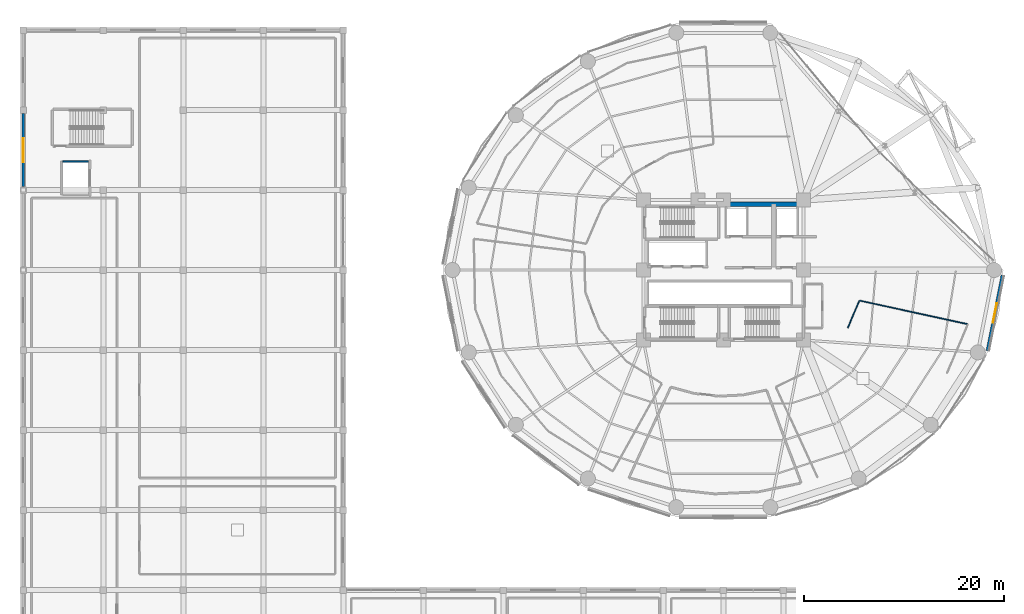
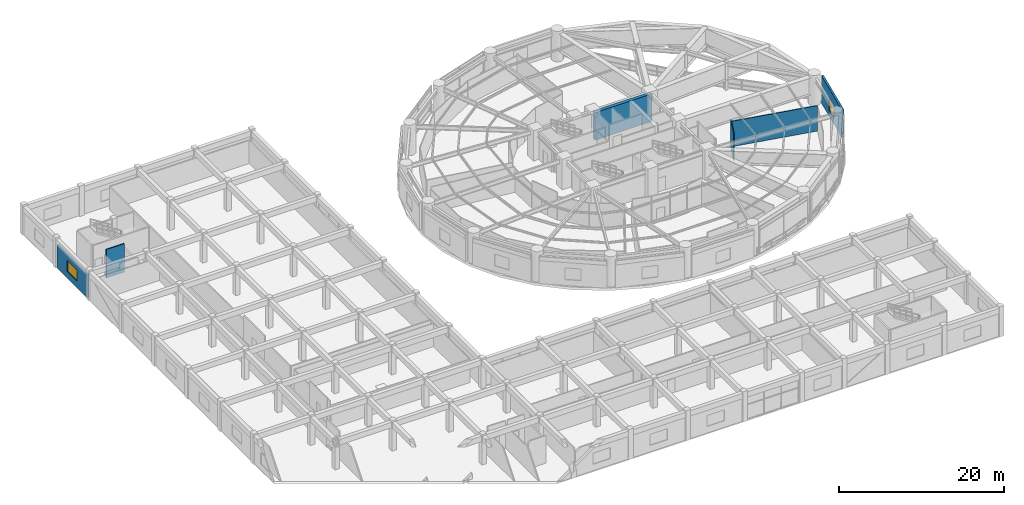
# One storey, part 43 of 52: 6 walls, 2 windows, 2 openings.
"""IFC4 building model written with IfcOpenShell, lengths in metres."""

import ifcopenshell
import ifcopenshell.guid

model = None  # the IFC model being written
_history = None  # IfcOwnerHistory: only IFC2X3 demands one
_inside = {}  # id of a spatial element -> (the spatial element, [elements in it])
_under = {}  # id of a project, library or spatial element -> (it, [spatial elements below it])
_declared = {}  # id of a project -> (the project, [libraries it declares])
_typed = {}  # id of a type object -> (the type object, [elements of that type])
_made_of = {}  # id of a material, layer set ... -> (it, [elements and type objects made of it])


def new_model(schema):
    """Start an empty IFC model of exactly this schema.

    Asked for "IFC4X3", IfcOpenShell would pick the latest addendum, in which some entities
    have other attributes; the version numbers below select the first issue.
    IFC2X3 requires an IfcOwnerHistory on every rooted entity: one is made here for all.
    """
    global model, _history
    if schema == "IFC4X3":
        model = ifcopenshell.file(schema_version=(4, 3, 0, 0))
    else:
        model = ifcopenshell.file(schema=schema)
    _inside.clear()
    _under.clear()
    _declared.clear()
    _typed.clear()
    _made_of.clear()
    _history = None
    if model.schema == "IFC2X3":
        org = make("IfcOrganization", Name="unknown")
        user = make(
            "IfcPersonAndOrganization",
            ThePerson=make("IfcPerson", FamilyName="unknown"),
            TheOrganization=org,
        )
        app = make(
            "IfcApplication",
            ApplicationDeveloper=org,
            Version="unknown",
            ApplicationFullName="unknown",
            ApplicationIdentifier="unknown",
        )
        _history = make(
            "IfcOwnerHistory",
            OwningUser=user,
            OwningApplication=app,
            ChangeAction="ADDED",
            CreationDate=0,
        )
    return model


def make(cls, **values):
    """One entity of the class cls with the attributes given. An attribute that is None is left unset."""
    return model.create_entity(
        cls, **{name: value for name, value in values.items() if value is not None}
    )


def rooted(cls, **values):
    """An entity with a GlobalId (a new one), such as an element, a storey or a relation."""
    return make(cls, GlobalId=ifcopenshell.guid.new(), OwnerHistory=_history, **values)


def si_unit(unit_type, name, prefix=None):
    """IfcSIUnit, for example si_unit("LENGTHUNIT", "METRE", prefix="MILLI")."""
    return make("IfcSIUnit", UnitType=unit_type, Prefix=prefix, Name=name)


def assignment(units):
    """IfcUnitAssignment: the units of a project."""
    return None if units is None else make("IfcUnitAssignment", Units=units)


def point(xyz):
    """IfcCartesianPoint."""
    return None if xyz is None else make("IfcCartesianPoint", Coordinates=xyz)


def direction(xyz):
    """IfcDirection."""
    return None if xyz is None else make("IfcDirection", DirectionRatios=xyz)


def frame(location, z_axis=None, x_axis=None):
    """IfcAxis2Placement3D, a coordinate frame: its origin and axes. An axis left out is left unset."""
    return make(
        "IfcAxis2Placement3D",
        Location=point(location),
        Axis=direction(z_axis),
        RefDirection=direction(x_axis),
    )


def frame_2d(location, x_axis=None):
    """IfcAxis2Placement2D, a coordinate frame in the plane: its origin and x axis."""
    return make(
        "IfcAxis2Placement2D", Location=point(location), RefDirection=direction(x_axis)
    )


def origin():
    """The frame at (0, 0, 0) with its axes left unset."""
    return frame((0.0, 0.0, 0.0))


def place(relative_to, where):
    """IfcLocalPlacement: puts the frame where relative to a parent placement (None: the world)."""
    return make(
        "IfcLocalPlacement", PlacementRelTo=relative_to, RelativePlacement=where
    )


def context(
    kind, dimensions, precision=None, world=None, true_north=None, identifier=None
):
    """IfcGeometricRepresentationContext, for example the 3D "Model" context."""
    return make(
        "IfcGeometricRepresentationContext",
        ContextIdentifier=identifier,
        ContextType=kind,
        CoordinateSpaceDimension=dimensions,
        Precision=precision,
        WorldCoordinateSystem=world,
        TrueNorth=true_north,
    )


def subcontext(parent, identifier, kind, view, scale=None):
    """IfcGeometricRepresentationSubContext, for example "Body" below "Model"."""
    return make(
        "IfcGeometricRepresentationSubContext",
        ContextIdentifier=identifier,
        ContextType=kind,
        ParentContext=parent,
        TargetScale=scale,
        TargetView=view,
    )


def project(units=None, contexts=None):
    """IfcProject with its units and contexts."""
    return rooted(
        "IfcProject",
        Name="project",
        RepresentationContexts=contexts,
        UnitsInContext=assignment(units),
    )


def spatial(cls, under=None, at=None, **own):
    """A site, building, storey or space (cls), placed at a placement, below another one or the project."""
    s = rooted(cls, ObjectPlacement=at, **own)
    if under is not None:
        _under.setdefault(under.id(), (under, []))[1].append(s)
    return s


def profile(cls, at=None, kind="AREA", **sizes):
    """A parametric profile (cls). Its sizes go by their IFC names, for example OverallWidth=200.0."""
    return make(cls, ProfileType=kind, Position=at, **sizes)


def rectangle(**sizes):
    """IfcRectangleProfileDef."""
    return profile("IfcRectangleProfileDef", **sizes)


def extrude(swept, where, along, depth):
    """IfcExtrudedAreaSolid: the profile swept, set in the frame where, extruded along a direction by depth."""
    return make(
        "IfcExtrudedAreaSolid",
        SweptArea=swept,
        Position=where,
        ExtrudedDirection=direction(along),
        Depth=depth,
    )


def shape(context_of_items, identifier, shape_type, items):
    """IfcShapeRepresentation: the items that make up one representation, for example the "Body"."""
    return make(
        "IfcShapeRepresentation",
        ContextOfItems=context_of_items,
        RepresentationIdentifier=identifier,
        RepresentationType=shape_type,
        Items=items,
    )


def material(Name=None, Category=None):
    """IfcMaterial."""
    return make("IfcMaterial", Name=Name, Category=Category)


def layer(
    of_material, thickness, ventilated=None, Name=None, Category=None, Priority=None
):
    """IfcMaterialLayer: one layer of a wall or slab, of a material (None: an air gap)."""
    return make(
        "IfcMaterialLayer",
        Material=of_material,
        LayerThickness=thickness,
        IsVentilated=ventilated,
        Name=Name,
        Category=Category,
        Priority=Priority,
    )


def layer_set(layers, Name=None):
    """IfcMaterialLayerSet."""
    return make("IfcMaterialLayerSet", MaterialLayers=layers, LayerSetName=Name)


def made_of(thing, what):
    """Note that an element or type object is made of a material, layer set ...; save() writes the relation."""
    if what is not None:
        _made_of.setdefault(what.id(), (what, []))[1].append(thing)
    return thing


def type_object(cls, material=None, **own):
    """A type object (cls), such as IfcWallType, which elements share."""
    return made_of(rooted(cls, **own), material)


def element(
    cls,
    number,
    at=None,
    inside=None,
    cuts=None,
    type_object=None,
    material=None,
    context=None,
    identifier="Body",
    shape_type=None,
    held_by="IfcProductDefinitionShape",
    body=None,
    shapes=None,
    **own,
):
    """One element of the class cls, such as IfcWall. Its Tag is "e" and its number.

    at: its placement. inside: the storey or other place that contains it. cuts: it is an
    opening in that element (IfcRelVoidsElement). A single representation is given by context,
    identifier, shape_type and body (its items); several are given by shapes. held_by: the class
    of the entity that holds the representations. save() writes the other relations.
    """
    e = rooted(cls, Tag="e%d" % number, ObjectPlacement=at, **own)
    if body is not None:
        shapes = [shape(context, identifier, shape_type, body)]
    if shapes is not None:
        e.Representation = make(held_by, Representations=shapes)
    if inside is not None:
        _inside.setdefault(inside.id(), (inside, []))[1].append(e)
    if cuts is not None:
        rooted(
            "IfcRelVoidsElement", RelatingBuildingElement=cuts, RelatedOpeningElement=e
        )
    if type_object is not None:
        _typed.setdefault(type_object.id(), (type_object, []))[1].append(e)
    return made_of(e, material)


def fill(opening, filler):
    """IfcRelFillsElement: the door or window that sits in an opening."""
    return rooted(
        "IfcRelFillsElement",
        RelatingOpeningElement=opening,
        RelatedBuildingElement=filler,
    )


def aggregate(whole, parts):
    """IfcRelAggregates: a whole, such as a stair, and the parts it consists of."""
    return rooted("IfcRelAggregates", RelatingObject=whole, RelatedObjects=parts)


def save(model, path):
    """Write the relations noted so far, then the file.

    IfcRelAggregates (storeys below a building ...), IfcRelContainedInSpatialStructure (elements
    in a storey), IfcRelDefinesByType, IfcRelAssociatesMaterial and IfcRelDeclares: one each for
    every whole, place, type object, material and project.
    """
    for whole, parts in _under.values():
        aggregate(whole, parts)
    for where, things in _inside.values():
        rooted(
            "IfcRelContainedInSpatialStructure",
            RelatedElements=things,
            RelatingStructure=where,
        )
    for kind, things in _typed.values():
        rooted("IfcRelDefinesByType", RelatedObjects=things, RelatingType=kind)
    for what, things in _made_of.values():
        rooted("IfcRelAssociatesMaterial", RelatedObjects=things, RelatingMaterial=what)
    for by, libraries in _declared.values():
        rooted("IfcRelDeclares", RelatingContext=by, RelatedDefinitions=libraries)
    model.write(path)


model = new_model("IFC4")

# Units and contexts
model_context = context("Model", 3, precision=1e-05, world=origin(), true_north=direction((0.0, 1.0)))
body_context = subcontext(model_context, "Body", "Model", "MODEL_VIEW")
ifc_project = project(units=[si_unit("LENGTHUNIT", "METRE"), si_unit("AREAUNIT", "SQUARE_METRE"), si_unit("VOLUMEUNIT", "CUBIC_METRE"), si_unit("PLANEANGLEUNIT", "RADIAN"), si_unit("MASSUNIT", "GRAM", prefix="KILO")], contexts=[model_context])

# Site, building, storey
site_placement = place(None, origin())
site = spatial("IfcSite", under=ifc_project, at=site_placement, CompositionType="ELEMENT")
building_placement = place(site_placement, origin())
building = spatial("IfcBuilding", under=site, at=building_placement, Name="Kelanora Arch Commons", CompositionType="ELEMENT")
storey_placement = place(building_placement, frame((0.0, 0.0, 13.5)))
storey = spatial("IfcBuildingStorey", under=building, at=storey_placement, Name="L03", CompositionType="ELEMENT", Elevation=13.5)

# Walls
ifc_material_1 = material(Name="Autoclaved aerated concrete blockwork with fire plaster", Category="masonry")
ifc_layer_1 = layer(ifc_material_1, 0.14990234375)
ifc_layer_set_1 = layer_set([ifc_layer_1], Name="Autoclaved aerated concrete blockwork with fire plaster")
wall_type_1 = type_object("IfcWallType", Name="W-COMP-150", PredefinedType="PARTITIONING", material=ifc_layer_set_1)
wall_1_placement = place(storey_placement, frame((7.9599609375, 68.860107421875, 0.0), z_axis=(0.0, 0.0, 1.0), x_axis=(1.0, 0.0, 0.0)))
element("IfcWall", 1, at=wall_1_placement, inside=storey, type_object=wall_type_1, Name="Market West Lift Shaft North Wall L03", PredefinedType="PARTITIONING", context=body_context, shape_type="SweptSolid", body=[
    extrude(rectangle(XDim=2.56005859375, YDim=0.14990234375, at=frame_2d((1.280029296875, 0.0))), origin(), (0.0, 0.0, 1.0), 4.22998046875),
])
ifc_material_2 = material(Name="Concrete C60/75", Category="concrete")
ifc_layer_2 = layer(ifc_material_2, 0.449951171875)
ifc_layer_set_2 = layer_set([ifc_layer_2], Name="Concrete C60/75")
wall_type_2 = type_object("IfcWallType", Name="W-CORE-450", PredefinedType="SHEAR", material=ifc_layer_set_2)
wall_2_placement = place(storey_placement, frame((74.0, 64.60009765625, 0.0), z_axis=(0.0, 0.0, 1.0), x_axis=(1.0, 0.0, 0.0)))
element("IfcWall", 2, at=wall_2_placement, inside=storey, type_object=wall_type_2, Name="Core Shear Spine L03-CN-E", PredefinedType="SHEAR", context=body_context, shape_type="SweptSolid", body=[
    extrude(rectangle(XDim=8.0, YDim=0.449951171875, at=frame_2d((4.0, 0.0))), origin(), (0.0, 0.0, 1.0), 4.10009765625),
])

# Wall, opening, window
ifc_material_3 = material(Name="Precast concrete C40/50 with terracotta ceramic cladding", Category="masonry")
ifc_layer_3 = layer(ifc_material_3, 0.25)
ifc_layer_set_3 = layer_set([ifc_layer_3], Name="Precast concrete C40/50 with terracotta ceramic cladding")
wall_type_3 = type_object("IfcWallType", Name="W-EXT-MKT", PredefinedType="SOLIDWALL", material=ifc_layer_set_3)
wall_3_placement = place(storey_placement, frame((4.0, 73.669921875, 0.0), z_axis=(0.0, 0.0, 1.0), x_axis=(0.0, -1.0, 0.0)))
wall_3 = element("IfcWall", 3, at=wall_3_placement, inside=storey, type_object=wall_type_3, Name="Market Hall Exterior Wall L03-35", PredefinedType="SOLIDWALL", context=body_context, shape_type="SweptSolid", body=[
    extrude(rectangle(XDim=7.33984375, YDim=0.25, at=frame_2d((3.669921875, 0.0))), origin(), (0.0, 0.0, 1.0), 3.419921875),
])
opening_1_placement = place(wall_3_placement, frame((2.469970703125, 0.0, 0.949951171875)))
opening_1 = element("IfcOpeningElement", 4, at=opening_1_placement, cuts=wall_3, Name="Opening WN-03", PredefinedType="OPENING", context=body_context, shape_type="SweptSolid", body=[
    extrude(rectangle(XDim=2.39990234375, YDim=1.64990234375, at=frame_2d((1.199951171875, 0.824951171875))), frame((0.0, 0.135009765625, 0.0), z_axis=(0.0, -1.0, 0.0), x_axis=(1.0, 0.0, 0.0)), (0.0, 0.0, 1.0), 0.27001953125),
])
ifc_material_4 = material(Name="Bronze-terracotta aluminium monsoon clerestory window", Category="masonry")
window_type_1 = type_object("IfcWindowType", Name="WIN-MKT-24", PartitioningType="TRIPLE_PANEL_VERTICAL", PredefinedType="WINDOW", material=ifc_material_4)
window_1_placement = place(opening_1_placement, origin())
window_1 = element("IfcWindow", 5, at=window_1_placement, inside=storey, type_object=window_type_1, Name="Market Hall Clerestory Window L03-35", OverallHeight=1.64990234375, OverallWidth=2.39990234375, PartitioningType="SINGLE_PANEL", PredefinedType="WINDOW", context=body_context, shape_type="SweptSolid", body=[
    extrude(rectangle(XDim=2.39990234375, YDim=1.64990234375, at=frame_2d((1.199951171875, 0.824951171875))), frame((0.0, 0.030029296875, 0.0), z_axis=(0.0, -1.0, 0.0), x_axis=(1.0, 0.0, 0.0)), (0.0, 0.0, 1.0), 0.06005859375),
])
fill(opening_1, window_1)

ifc_material_5 = material(Name="Precast concrete C40/50 with terracotta rainscreen", Category="masonry")
ifc_layer_4 = layer(ifc_material_5, 0.260009765625)
ifc_layer_set_4 = layer_set([ifc_layer_4], Name="Precast concrete C40/50 with terracotta rainscreen")
wall_type_4 = type_object("IfcWallType", Name="W-EXT-TC", PredefinedType="SOLIDWALL", material=ifc_layer_set_4)
wall_4_placement = place(storey_placement, frame((100.404296875, 49.919921875, 0.0), z_axis=(0.0, 0.0, 1.0), x_axis=(0.193726159581, 0.98105564322, 0.0)))
wall_4 = element("IfcWall", 6, at=wall_4_placement, inside=storey, type_object=wall_type_4, Name="Terracotta Exterior Wall L03-B17", PredefinedType="SOLIDWALL", context=body_context, shape_type="SweptSolid", body=[
    extrude(rectangle(XDim=7.70263671875, YDim=0.260009765625, at=frame_2d((3.851318359375, 0.0))), origin(), (0.0, 0.0, 1.0), 4.0849609375),
])
opening_2_placement = place(wall_4_placement, frame((2.85107421875, 0.0, 0.85009765625)))
opening_2 = element("IfcOpeningElement", 7, at=opening_2_placement, cuts=wall_4, Name="Opening WN-05", PredefinedType="OPENING", context=body_context, shape_type="SweptSolid", body=[
    extrude(rectangle(XDim=2.0, YDim=1.75, at=frame_2d((1.0, 0.875))), frame((0.0, 0.14013671875, 0.0), z_axis=(0.0, -1.0, 0.0), x_axis=(1.0, 0.0, 0.0)), (0.0, 0.0, 1.0), 0.280029296875),
])
ifc_material_6 = material(Name="Terracotta-anodised aluminium podium window", Category="masonry")
window_type_2 = type_object("IfcWindowType", Name="WIN-POD-20", PartitioningType="TRIPLE_PANEL_VERTICAL", PredefinedType="WINDOW", material=ifc_material_6)
window_2_placement = place(opening_2_placement, origin())
window_2 = element("IfcWindow", 8, at=window_2_placement, inside=storey, type_object=window_type_2, Name="Podium Window L03-B17", OverallHeight=1.75, OverallWidth=2.0, PartitioningType="SINGLE_PANEL", PredefinedType="WINDOW", context=body_context, shape_type="SweptSolid", body=[
    extrude(rectangle(XDim=2.0, YDim=1.75, at=frame_2d((1.0, 0.875))), frame((0.0, 0.030029296875, 0.0), z_axis=(0.0, -1.0, 0.0), x_axis=(1.0, 0.0, 0.0)), (0.0, 0.0, 1.0), 0.06005859375),
])
fill(opening_2, window_2)

# Walls
ifc_material_7 = material(Name="Lightweight fire-rated acoustic stud partition")
ifc_layer_5 = layer(ifc_material_7, 0.10009765625)
ifc_layer_set_5 = layer_set([ifc_layer_5], Name="Lightweight fire-rated acoustic stud partition")
wall_type_5 = type_object("IfcWallType", Name="W-PART-100", PredefinedType="PARTITIONING", material=ifc_layer_set_5)
wall_5_placement = place(storey_placement, frame((86.451416015625, 52.2099609375, 0.0), z_axis=(0.0, 0.0, 1.0), x_axis=(0.388068176064, 0.921630669372, 0.0)))
element("IfcWall", 9, at=wall_5_placement, inside=storey, type_object=wall_type_5, Name="Quiet Library Reading Gallery L03-D Enclosure Partition 4", PredefinedType="PARTITIONING", context=body_context, shape_type="SweptSolid", body=[
    extrude(rectangle(XDim=2.9296875, YDim=0.10009765625, at=frame_2d((1.46484375, 0.0))), origin(), (0.0, 0.0, 1.0), 4.090087890625),
])
wall_6_placement = place(storey_placement, frame((87.64306640625, 54.9384765625, 0.0), z_axis=(0.0, 0.0, 1.0), x_axis=(0.977028592708, -0.213108256602, 0.0)))
element("IfcWall", 10, at=wall_6_placement, inside=storey, type_object=wall_type_5, Name="Quiet Library Reading Gallery L03-D Enclosure Partition 5", PredefinedType="PARTITIONING", context=body_context, shape_type="SweptSolid", body=[
    extrude(rectangle(XDim=11.02197265625, YDim=0.10009765625, at=frame_2d((5.510986328125, 0.0))), origin(), (0.0, 0.0, 1.0), 3.784912109375),
])

save(model, "model.ifc")
